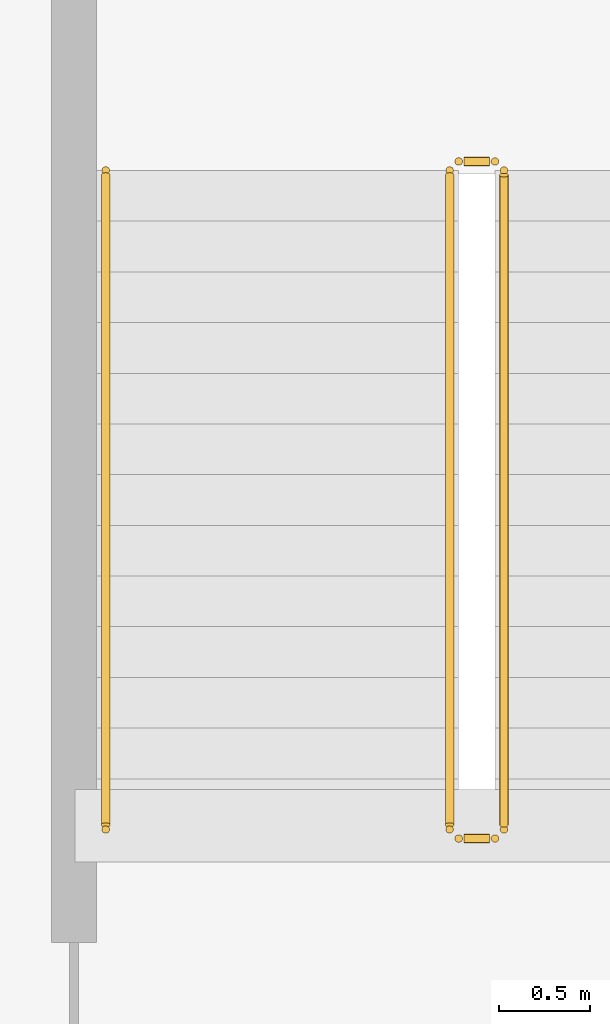
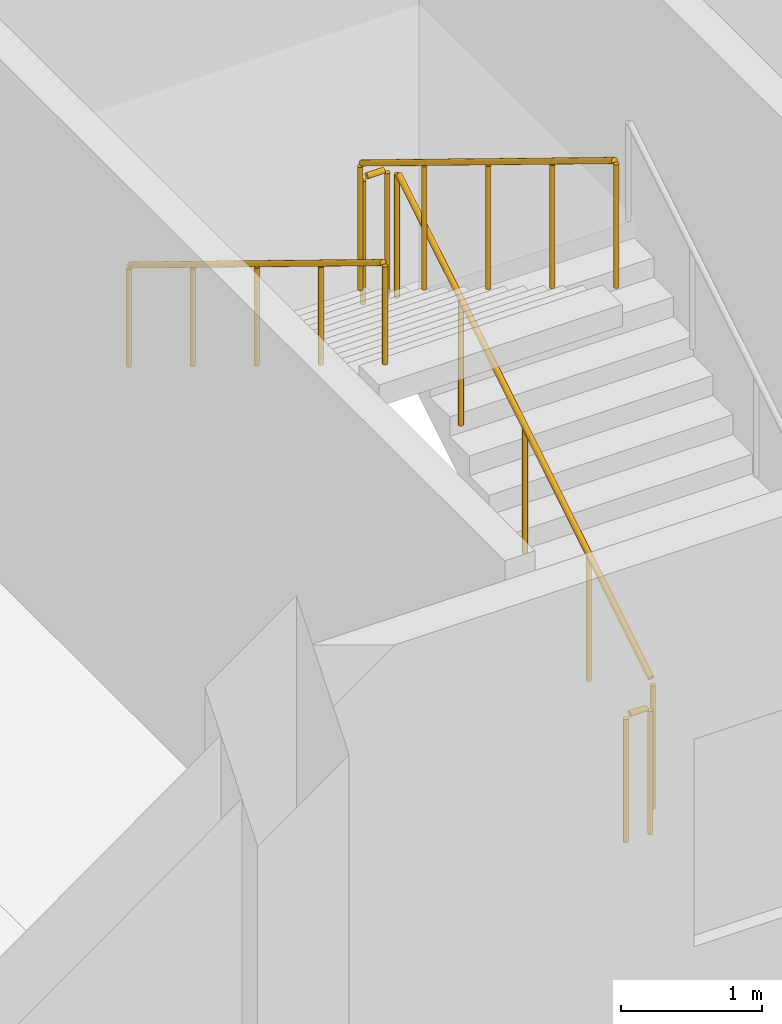
# One storey, part 34 of 51: 5 railings.
"""IFC4 building model written with IfcOpenShell, lengths in metres."""

from ifc_helpers import new_model, si_unit, direction, frame, origin, origin_2d, place, context, subcontext, project, spatial, circle, extrude, material, type_object, element, save


model = new_model("IFC4")

# Units and contexts
model_context = context("Model", 3, precision=1e-05, world=origin(), true_north=direction((0.0, 1.0)))
body_context = subcontext(model_context, "Body", "Model", "MODEL_VIEW")
ifc_project = project(units=[si_unit("LENGTHUNIT", "METRE"), si_unit("AREAUNIT", "SQUARE_METRE"), si_unit("VOLUMEUNIT", "CUBIC_METRE"), si_unit("PLANEANGLEUNIT", "RADIAN"), si_unit("MASSUNIT", "GRAM", prefix="KILO")], contexts=[model_context])

# Site, building, storey
site_placement = place(None, origin())
site = spatial("IfcSite", under=ifc_project, at=site_placement, CompositionType="ELEMENT")
building_placement = place(site_placement, origin())
building = spatial("IfcBuilding", under=site, at=building_placement, Name="Zuvorla Pavilion Media Centre", CompositionType="ELEMENT")
storey_placement = place(building_placement, frame((0.0, 0.0, 4.800048828125)))
storey = spatial("IfcBuildingStorey", under=building, at=storey_placement, Name="L01", CompositionType="ELEMENT", Elevation=4.800048828125)

# Railings
ifc_material_1 = material(Name="Powder-coated steel balustrade guard", Category="steel")
railing_type_1 = type_object("IfcRailingType", Name="RL-INT-GRD", PredefinedType="BALUSTRADE", material=ifc_material_1)
railing_1_placement = place(storey_placement, frame((71.300048828125, 8.449951171875, 0.17138671875)))
element("IfcRailing", 1, at=railing_1_placement, inside=storey, type_object=railing_type_1, Name="L01 ST-01 stair guard 1", PredefinedType="BALUSTRADE", context=body_context, shape_type="SweptSolid", body=[
    extrude(circle(Radius=0.02392578125, at=origin_2d()), frame((0.0, 0.024658203125, 1.111083984375), z_axis=(0.0, 0.852865859571, 0.52213008492), x_axis=(-1.0, 0.0, 0.0)), (0.0, 0.0, 1.0), 4.21044921875),
    extrude(circle(Radius=0.02099609375, at=origin_2d()), origin(), (0.0, 0.0, 1.0), 1.070068359375),
    extrude(circle(Radius=0.02099609375, at=origin_2d()), frame((0.0, 0.91015625, 0.55712890625)), (0.0, 0.0, 1.0), 1.070068359375),
    extrude(circle(Radius=0.02099609375, at=origin_2d()), frame((0.0, 1.820068359375, 1.1142578125)), (0.0, 0.0, 1.0), 1.070068359375),
    extrude(circle(Radius=0.02099609375, at=origin_2d()), frame((0.0, 2.72998046875, 1.67138671875)), (0.0, 0.0, 1.0), 1.070068359375),
    extrude(circle(Radius=0.02099609375, at=origin_2d()), frame((0.0, 3.64013671875, 2.228515625)), (0.0, 0.0, 1.0), 1.070068359375),
])
railing_2_placement = place(storey_placement, frame((71.25, 12.139892578125, 2.39990234375)))
element("IfcRailing", 2, at=railing_2_placement, inside=storey, type_object=railing_type_1, Name="L01 ST-01 stair guard 2", PredefinedType="BALUSTRADE", context=body_context, shape_type="SweptSolid", body=[
    extrude(circle(Radius=0.02392578125, at=origin_2d()), frame((-0.02880859375, 0.0, 1.09619140625), z_axis=(-1.0, 0.0, 0.0), x_axis=(0.0, -1.0, 0.0)), (0.0, 0.0, 1.0), 0.142333984375),
    extrude(circle(Radius=0.02099609375, at=origin_2d()), origin(), (0.0, 0.0, 1.0), 1.070068359375),
    extrude(circle(Radius=0.02099609375, at=origin_2d()), frame((-0.199951171875, 0.0, 0.0)), (0.0, 0.0, 1.0), 1.070068359375),
])
railing_3_placement = place(storey_placement, frame((71.0, 12.090087890625, 2.5712890625)))
element("IfcRailing", 3, at=railing_3_placement, inside=storey, type_object=railing_type_1, Name="L01 ST-01 stair guard 3", PredefinedType="BALUSTRADE", context=body_context, shape_type="SweptSolid", body=[
    extrude(circle(Radius=0.02392578125, at=origin_2d()), frame((0.0, -0.024658203125, 1.111083984375), z_axis=(0.0, -0.852840387347, 0.522171689878), x_axis=(1.0, 0.0, 0.0)), (0.0, 0.0, 1.0), 4.21044921875),
    extrude(circle(Radius=0.02099609375, at=origin_2d()), origin(), (0.0, 0.0, 1.0), 1.070068359375),
    extrude(circle(Radius=0.02099609375, at=origin_2d()), frame((0.0, -0.91015625, 0.55712890625)), (0.0, 0.0, 1.0), 1.070068359375),
    extrude(circle(Radius=0.02099609375, at=origin_2d()), frame((0.0, -1.820068359375, 1.1142578125)), (0.0, 0.0, 1.0), 1.070068359375),
    extrude(circle(Radius=0.02099609375, at=origin_2d()), frame((0.0, -2.72998046875, 1.671630859375)), (0.0, 0.0, 1.0), 1.070068359375),
    extrude(circle(Radius=0.02099609375, at=origin_2d()), frame((0.0, -3.64013671875, 2.228759765625)), (0.0, 0.0, 1.0), 1.070068359375),
])
railing_4_placement = place(storey_placement, frame((71.25, 8.39990234375, 0.0)))
element("IfcRailing", 4, at=railing_4_placement, inside=storey, type_object=railing_type_1, Name="L01 ST-01 stair guard 4", PredefinedType="BALUSTRADE", context=body_context, shape_type="SweptSolid", body=[
    extrude(circle(Radius=0.02392578125, at=origin_2d()), frame((-0.02880859375, 0.0, 1.09619140625), z_axis=(-1.0, 0.0, 0.0), x_axis=(0.0, -1.0, 0.0)), (0.0, 0.0, 1.0), 0.142333984375),
    extrude(circle(Radius=0.02099609375, at=origin_2d()), origin(), (0.0, 0.0, 1.0), 1.070068359375),
    extrude(circle(Radius=0.02099609375, at=origin_2d()), frame((-0.199951171875, 0.0, 0.0)), (0.0, 0.0, 1.0), 1.070068359375),
])
ifc_material_2 = material(Name="Brushed stainless steel tubular handrail", Category="steel")
railing_type_2 = type_object("IfcRailingType", Name="RL-INT-HND", PredefinedType="HANDRAIL", material=ifc_material_2)
railing_5_placement = place(storey_placement, frame((69.10009765625, 12.090087890625, 2.5712890625)))
element("IfcRailing", 5, at=railing_5_placement, inside=storey, type_object=railing_type_2, Name="L01 ST-01 handrail 2", PredefinedType="HANDRAIL", context=body_context, shape_type="SweptSolid", body=[
    extrude(circle(Radius=0.02392578125, at=origin_2d()), frame((0.0, -0.024658203125, 0.890869140625), z_axis=(0.0, -0.852840387347, 0.522171689878), x_axis=(1.0, 0.0, 0.0)), (0.0, 0.0, 1.0), 4.21044921875),
    extrude(circle(Radius=0.02099609375, at=origin_2d()), origin(), (0.0, 0.0, 1.0), 0.849853515625),
    extrude(circle(Radius=0.02099609375, at=origin_2d()), frame((0.0, -0.91015625, 0.55712890625)), (0.0, 0.0, 1.0), 0.849853515625),
    extrude(circle(Radius=0.02099609375, at=origin_2d()), frame((0.0, -1.820068359375, 1.1142578125)), (0.0, 0.0, 1.0), 0.849853515625),
    extrude(circle(Radius=0.02099609375, at=origin_2d()), frame((0.0, -2.72998046875, 1.671630859375)), (0.0, 0.0, 1.0), 0.849853515625),
    extrude(circle(Radius=0.02099609375, at=origin_2d()), frame((0.0, -3.64013671875, 2.228759765625)), (0.0, 0.0, 1.0), 0.849853515625),
])

save(model, "model.ifc")
